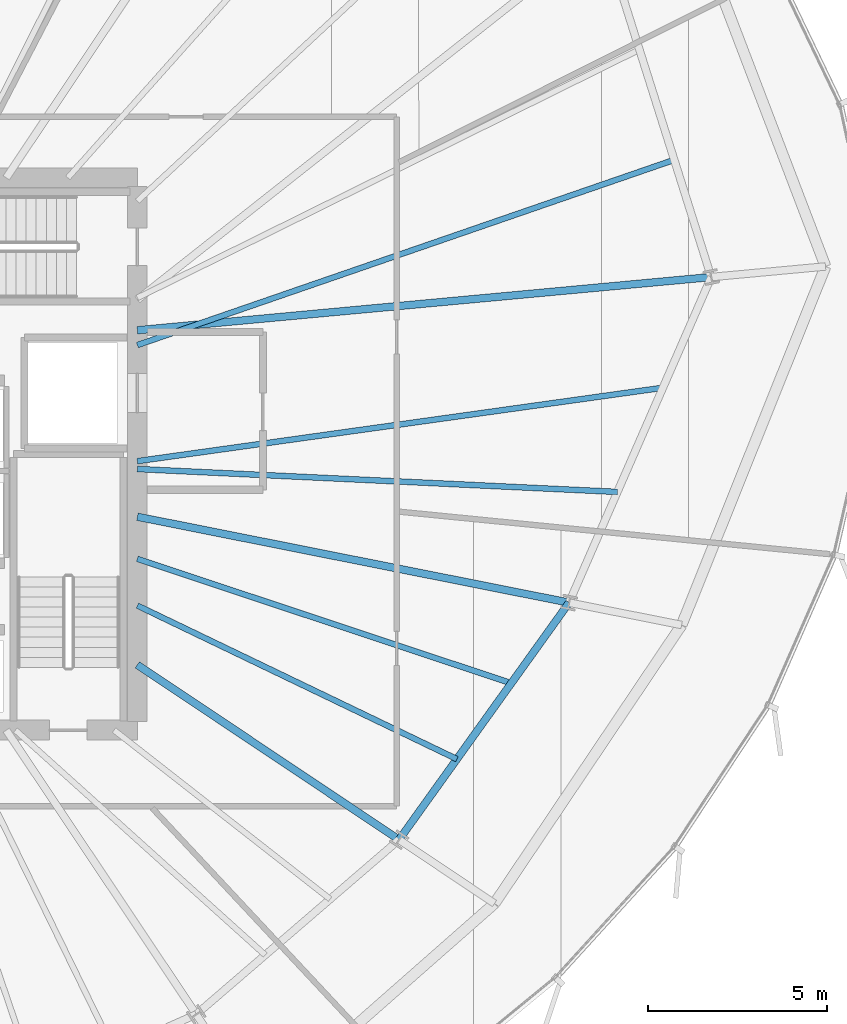
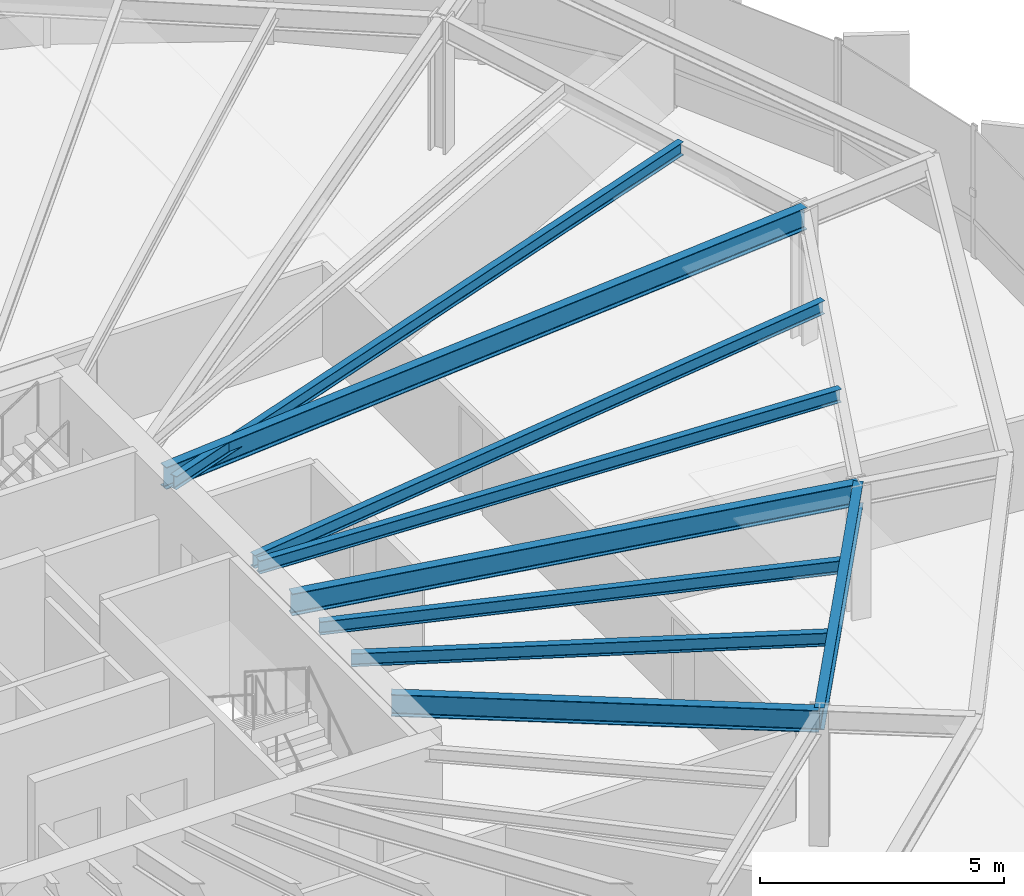
# One storey, part 15 of 33: 9 beams.
"""IFC4 building model written with IfcOpenShell, lengths in metres."""

import ifcopenshell
import ifcopenshell.guid

model = None  # the IFC model being written
_history = None  # IfcOwnerHistory: only IFC2X3 demands one
_inside = {}  # id of a spatial element -> (the spatial element, [elements in it])
_under = {}  # id of a project, library or spatial element -> (it, [spatial elements below it])
_declared = {}  # id of a project -> (the project, [libraries it declares])
_typed = {}  # id of a type object -> (the type object, [elements of that type])
_made_of = {}  # id of a material, layer set ... -> (it, [elements and type objects made of it])


def new_model(schema):
    """Start an empty IFC model of exactly this schema.

    Asked for "IFC4X3", IfcOpenShell would pick the latest addendum, in which some entities
    have other attributes; the version numbers below select the first issue.
    IFC2X3 requires an IfcOwnerHistory on every rooted entity: one is made here for all.
    """
    global model, _history
    if schema == "IFC4X3":
        model = ifcopenshell.file(schema_version=(4, 3, 0, 0))
    else:
        model = ifcopenshell.file(schema=schema)
    _inside.clear()
    _under.clear()
    _declared.clear()
    _typed.clear()
    _made_of.clear()
    _history = None
    if model.schema == "IFC2X3":
        org = make("IfcOrganization", Name="unknown")
        user = make(
            "IfcPersonAndOrganization",
            ThePerson=make("IfcPerson", FamilyName="unknown"),
            TheOrganization=org,
        )
        app = make(
            "IfcApplication",
            ApplicationDeveloper=org,
            Version="unknown",
            ApplicationFullName="unknown",
            ApplicationIdentifier="unknown",
        )
        _history = make(
            "IfcOwnerHistory",
            OwningUser=user,
            OwningApplication=app,
            ChangeAction="ADDED",
            CreationDate=0,
        )
    return model


def make(cls, **values):
    """One entity of the class cls with the attributes given. An attribute that is None is left unset."""
    return model.create_entity(
        cls, **{name: value for name, value in values.items() if value is not None}
    )


def rooted(cls, **values):
    """An entity with a GlobalId (a new one), such as an element, a storey or a relation."""
    return make(cls, GlobalId=ifcopenshell.guid.new(), OwnerHistory=_history, **values)


def si_unit(unit_type, name, prefix=None):
    """IfcSIUnit, for example si_unit("LENGTHUNIT", "METRE", prefix="MILLI")."""
    return make("IfcSIUnit", UnitType=unit_type, Prefix=prefix, Name=name)


def assignment(units):
    """IfcUnitAssignment: the units of a project."""
    return None if units is None else make("IfcUnitAssignment", Units=units)


def point(xyz):
    """IfcCartesianPoint."""
    return None if xyz is None else make("IfcCartesianPoint", Coordinates=xyz)


def direction(xyz):
    """IfcDirection."""
    return None if xyz is None else make("IfcDirection", DirectionRatios=xyz)


def frame(location, z_axis=None, x_axis=None):
    """IfcAxis2Placement3D, a coordinate frame: its origin and axes. An axis left out is left unset."""
    return make(
        "IfcAxis2Placement3D",
        Location=point(location),
        Axis=direction(z_axis),
        RefDirection=direction(x_axis),
    )


def frame_2d(location, x_axis=None):
    """IfcAxis2Placement2D, a coordinate frame in the plane: its origin and x axis."""
    return make(
        "IfcAxis2Placement2D", Location=point(location), RefDirection=direction(x_axis)
    )


def origin():
    """The frame at (0, 0, 0) with its axes left unset."""
    return frame((0.0, 0.0, 0.0))


def origin_2d():
    """The frame at (0, 0) in the plane with its x axis left unset."""
    return frame_2d((0.0, 0.0))


def place(relative_to, where):
    """IfcLocalPlacement: puts the frame where relative to a parent placement (None: the world)."""
    return make(
        "IfcLocalPlacement", PlacementRelTo=relative_to, RelativePlacement=where
    )


def context(
    kind, dimensions, precision=None, world=None, true_north=None, identifier=None
):
    """IfcGeometricRepresentationContext, for example the 3D "Model" context."""
    return make(
        "IfcGeometricRepresentationContext",
        ContextIdentifier=identifier,
        ContextType=kind,
        CoordinateSpaceDimension=dimensions,
        Precision=precision,
        WorldCoordinateSystem=world,
        TrueNorth=true_north,
    )


def subcontext(parent, identifier, kind, view, scale=None):
    """IfcGeometricRepresentationSubContext, for example "Body" below "Model"."""
    return make(
        "IfcGeometricRepresentationSubContext",
        ContextIdentifier=identifier,
        ContextType=kind,
        ParentContext=parent,
        TargetScale=scale,
        TargetView=view,
    )


def project(units=None, contexts=None):
    """IfcProject with its units and contexts."""
    return rooted(
        "IfcProject",
        Name="project",
        RepresentationContexts=contexts,
        UnitsInContext=assignment(units),
    )


def spatial(cls, under=None, at=None, **own):
    """A site, building, storey or space (cls), placed at a placement, below another one or the project."""
    s = rooted(cls, ObjectPlacement=at, **own)
    if under is not None:
        _under.setdefault(under.id(), (under, []))[1].append(s)
    return s


def profile(cls, at=None, kind="AREA", **sizes):
    """A parametric profile (cls). Its sizes go by their IFC names, for example OverallWidth=200.0."""
    return make(cls, ProfileType=kind, Position=at, **sizes)


def i_section(**sizes):
    """IfcIShapeProfileDef."""
    return profile("IfcIShapeProfileDef", **sizes)


def extrude(swept, where, along, depth):
    """IfcExtrudedAreaSolid: the profile swept, set in the frame where, extruded along a direction by depth."""
    return make(
        "IfcExtrudedAreaSolid",
        SweptArea=swept,
        Position=where,
        ExtrudedDirection=direction(along),
        Depth=depth,
    )


def shape(context_of_items, identifier, shape_type, items):
    """IfcShapeRepresentation: the items that make up one representation, for example the "Body"."""
    return make(
        "IfcShapeRepresentation",
        ContextOfItems=context_of_items,
        RepresentationIdentifier=identifier,
        RepresentationType=shape_type,
        Items=items,
    )


def source(mapping_origin, context_of_items, identifier, shape_type, items):
    """IfcRepresentationMap: a shape defined once, which mapped items show again and again."""
    return make(
        "IfcRepresentationMap",
        MappingOrigin=mapping_origin,
        MappedRepresentation=shape(context_of_items, identifier, shape_type, items),
    )


def transform(
    local_origin,
    x_axis=None,
    y_axis=None,
    z_axis=None,
    scale=None,
    scale2=None,
    scale3=None,
    uniform=True,
):
    """IfcCartesianTransformationOperator3D, or its non-uniform kind. x_axis, y_axis, z_axis: its Axis1, 2, 3."""
    if uniform:
        return make(
            "IfcCartesianTransformationOperator3D",
            Axis1=direction(x_axis),
            Axis2=direction(y_axis),
            LocalOrigin=point(local_origin),
            Scale=scale,
            Axis3=direction(z_axis),
        )
    return make(
        "IfcCartesianTransformationOperator3DnonUniform",
        Axis1=direction(x_axis),
        Axis2=direction(y_axis),
        LocalOrigin=point(local_origin),
        Scale=scale,
        Axis3=direction(z_axis),
        Scale2=scale2,
        Scale3=scale3,
    )


def mapped(mapping_source, mapping_target):
    """IfcMappedItem: shows the shape of a source again, moved by a transform."""
    return make(
        "IfcMappedItem", MappingSource=mapping_source, MappingTarget=mapping_target
    )


def material(Name=None, Category=None):
    """IfcMaterial."""
    return make("IfcMaterial", Name=Name, Category=Category)


def material_profile(
    of_material, cross_section, Name=None, Category=None, Priority=None
):
    """IfcMaterialProfile: a cross section and its material."""
    return make(
        "IfcMaterialProfile",
        Name=Name,
        Material=of_material,
        Profile=cross_section,
        Priority=Priority,
        Category=Category,
    )


def profile_set(profiles, Name=None, composite=None):
    """IfcMaterialProfileSet."""
    return make(
        "IfcMaterialProfileSet",
        Name=Name,
        MaterialProfiles=profiles,
        CompositeProfile=composite,
    )


def made_of(thing, what):
    """Note that an element or type object is made of a material, layer set ...; save() writes the relation."""
    if what is not None:
        _made_of.setdefault(what.id(), (what, []))[1].append(thing)
    return thing


def type_object(cls, material=None, **own):
    """A type object (cls), such as IfcWallType, which elements share."""
    return made_of(rooted(cls, **own), material)


def element(
    cls,
    number,
    at=None,
    inside=None,
    cuts=None,
    type_object=None,
    material=None,
    context=None,
    identifier="Body",
    shape_type=None,
    held_by="IfcProductDefinitionShape",
    body=None,
    shapes=None,
    **own,
):
    """One element of the class cls, such as IfcWall. Its Tag is "e" and its number.

    at: its placement. inside: the storey or other place that contains it. cuts: it is an
    opening in that element (IfcRelVoidsElement). A single representation is given by context,
    identifier, shape_type and body (its items); several are given by shapes. held_by: the class
    of the entity that holds the representations. save() writes the other relations.
    """
    e = rooted(cls, Tag="e%d" % number, ObjectPlacement=at, **own)
    if body is not None:
        shapes = [shape(context, identifier, shape_type, body)]
    if shapes is not None:
        e.Representation = make(held_by, Representations=shapes)
    if inside is not None:
        _inside.setdefault(inside.id(), (inside, []))[1].append(e)
    if cuts is not None:
        rooted(
            "IfcRelVoidsElement", RelatingBuildingElement=cuts, RelatedOpeningElement=e
        )
    if type_object is not None:
        _typed.setdefault(type_object.id(), (type_object, []))[1].append(e)
    return made_of(e, material)


def aggregate(whole, parts):
    """IfcRelAggregates: a whole, such as a stair, and the parts it consists of."""
    return rooted("IfcRelAggregates", RelatingObject=whole, RelatedObjects=parts)


def save(model, path):
    """Write the relations noted so far, then the file.

    IfcRelAggregates (storeys below a building ...), IfcRelContainedInSpatialStructure (elements
    in a storey), IfcRelDefinesByType, IfcRelAssociatesMaterial and IfcRelDeclares: one each for
    every whole, place, type object, material and project.
    """
    for whole, parts in _under.values():
        aggregate(whole, parts)
    for where, things in _inside.values():
        rooted(
            "IfcRelContainedInSpatialStructure",
            RelatedElements=things,
            RelatingStructure=where,
        )
    for kind, things in _typed.values():
        rooted("IfcRelDefinesByType", RelatedObjects=things, RelatingType=kind)
    for what, things in _made_of.values():
        rooted("IfcRelAssociatesMaterial", RelatedObjects=things, RelatingMaterial=what)
    for by, libraries in _declared.values():
        rooted("IfcRelDeclares", RelatingContext=by, RelatedDefinitions=libraries)
    model.write(path)


model = new_model("IFC4")

# Units and contexts
model_context = context("Model", 3, precision=1e-05, world=origin(), true_north=direction((0.0, 1.0)))
body_context = subcontext(model_context, "Body", "Model", "MODEL_VIEW")
ifc_project = project(units=[si_unit("LENGTHUNIT", "METRE"), si_unit("AREAUNIT", "SQUARE_METRE"), si_unit("VOLUMEUNIT", "CUBIC_METRE"), si_unit("PLANEANGLEUNIT", "RADIAN"), si_unit("MASSUNIT", "GRAM", prefix="KILO"), si_unit("THERMODYNAMICTEMPERATUREUNIT", "KELVIN")], contexts=[model_context])

# Site, building, storey
site_placement = place(None, origin())
site = spatial("IfcSite", under=ifc_project, at=site_placement, CompositionType="ELEMENT")
building_placement = place(site_placement, origin())
building = spatial("IfcBuilding", under=site, at=building_placement, Name="Kethvar Cultural Tower", CompositionType="ELEMENT")
storey_placement = place(building_placement, frame((0.0, 0.0, 110.800048828125)))
storey = spatial("IfcBuildingStorey", under=building, at=storey_placement, Name="L27", CompositionType="ELEMENT", Elevation=110.800048828125)

# Beams
ifc_material = material(Name="Steel S355J2", Category="steel")
ifc_material_profile_1 = material_profile(ifc_material, i_section(OverallWidth=0.2099609375, OverallDepth=0.550048828125, WebThickness=0.010986328125, FlangeThickness=0.01708984375, FilletRadius=0.02392578125, at=origin_2d()), Name="Steel S355J2 — IPE550")
ifc_profile_set_1 = profile_set([ifc_material_profile_1], Name="Steel S355J2 — IPE550")
beam_type_1 = type_object("IfcBeamType", Name="BM-IPE550", PredefinedType="BEAM", material=ifc_profile_set_1)
shared_shape_1 = source(origin(), body_context, "Body", "SweptSolid", [
    extrude(i_section(OverallWidth=0.2099609375, OverallDepth=0.550048828125, WebThickness=0.010986328125, FlangeThickness=0.01708984375, FilletRadius=0.02392578125, at=origin_2d()), origin(), (0.0, 0.0, 1.0), 16.071044921875),
])
beam_1_placement = place(storey_placement, frame((55.60009765625, 31.25, 3.072998046875), z_axis=(0.995731009363, 0.092302529718, 0.0), x_axis=(-0.092302529718, 0.995731009363, 0.0)))
element("IfcBeam", 1, at=beam_1_placement, inside=storey, type_object=beam_type_1, Name="L27 Primary Radial Beam RB-01", PredefinedType="BEAM", context=body_context, shape_type="MappedRepresentation", body=[
    mapped(shared_shape_1, transform((0.0, 0.0, 0.0), scale=1.0)),
])
shared_shape_2 = source(origin(), body_context, "Body", "SweptSolid", [
    extrude(i_section(OverallWidth=0.2099609375, OverallDepth=0.550048828125, WebThickness=0.010986328125, FlangeThickness=0.01708984375, FilletRadius=0.02392578125, at=origin_2d()), origin(), (0.0, 0.0, 1.0), 8.77783203125),
])
beam_2_placement = place(storey_placement, frame((55.60009765625, 21.919921875, 3.072998046875), z_axis=(0.831472186778, -0.555566380026, 0.0), x_axis=(0.555566380026, 0.831472186778, 0.0)))
element("IfcBeam", 2, at=beam_2_placement, inside=storey, type_object=beam_type_1, Name="L27 Primary Radial Beam RB-15", PredefinedType="BEAM", context=body_context, shape_type="MappedRepresentation", body=[
    mapped(shared_shape_2, transform((0.0, 0.0, 0.0), scale=1.0)),
])
shared_shape_3 = source(origin(), body_context, "Body", "SweptSolid", [
    extrude(i_section(OverallWidth=0.2099609375, OverallDepth=0.550048828125, WebThickness=0.010986328125, FlangeThickness=0.01708984375, FilletRadius=0.02392578125, at=origin_2d()), origin(), (0.0, 0.0, 1.0), 12.2744140625),
])
beam_3_placement = place(storey_placement, frame((55.60009765625, 26.049560546875, 3.072998046875), z_axis=(0.980782878234, -0.195102398146, 0.0), x_axis=(0.195102398146, 0.980782878234, 0.0)))
element("IfcBeam", 3, at=beam_3_placement, inside=storey, type_object=beam_type_1, Name="L27 Primary Radial Beam RB-16", PredefinedType="BEAM", context=body_context, shape_type="MappedRepresentation", body=[
    mapped(shared_shape_3, transform((0.0, 0.0, 0.0), scale=1.0)),
])
ifc_material_profile_2 = material_profile(ifc_material, i_section(OverallWidth=0.159912109375, OverallDepth=0.330078125, WebThickness=0.007568359375, FlangeThickness=0.011474609375, FilletRadius=0.01806640625, at=origin_2d()), Name="Steel S355J2 — IPE330")
ifc_profile_set_2 = profile_set([ifc_material_profile_2], Name="Steel S355J2 — IPE330")
beam_type_2 = type_object("IfcBeamType", Name="BM-J330", PredefinedType="JOIST", material=ifc_profile_set_2)
shared_shape_4 = source(origin(), body_context, "Body", "SweptSolid", [
    extrude(i_section(OverallWidth=0.159912109375, OverallDepth=0.330078125, WebThickness=0.007568359375, FlangeThickness=0.011474609375, FilletRadius=0.01806640625, at=origin_2d()), origin(), (0.0, 0.0, 1.0), 15.836669921875),
])
beam_4_placement = place(storey_placement, frame((55.60009765625, 30.836181640625, 3.182861328125), z_axis=(0.945315135904, 0.326158387644, 0.0), x_axis=(-0.326158387644, 0.945315135904, 0.0)))
element("IfcBeam", 4, at=beam_4_placement, inside=storey, type_object=beam_type_2, Name="L27 Composite Floor Joist J-01A", PredefinedType="JOIST", context=body_context, shape_type="MappedRepresentation", body=[
    mapped(shared_shape_4, transform((0.0, 0.0, 0.0), scale=1.0)),
])
shared_shape_5 = source(origin(), body_context, "Body", "SweptSolid", [
    extrude(i_section(OverallWidth=0.2099609375, OverallDepth=0.550048828125, WebThickness=0.010986328125, FlangeThickness=0.01708984375, FilletRadius=0.02392578125, at=origin_2d()), origin(), (0.0, 0.0, 1.0), 8.13525390625),
])
beam_5_placement = place(storey_placement, frame((62.898681640625, 17.043212890625, 3.072998046875), z_axis=(0.582656731995, 0.812718359988, 0.0), x_axis=(-0.812718359988, 0.582656731995, 0.0)))
element("IfcBeam", 5, at=beam_5_placement, inside=storey, type_object=beam_type_1, Name="L27 Column Ring Tie Beam CR-15", PredefinedType="BEAM", context=body_context, shape_type="MappedRepresentation", body=[
    mapped(shared_shape_5, transform((0.0, 0.0, 0.0), scale=1.0)),
])
shared_shape_6 = source(origin(), body_context, "Body", "SweptSolid", [
    extrude(i_section(OverallWidth=0.159912109375, OverallDepth=0.330078125, WebThickness=0.007568359375, FlangeThickness=0.011474609375, FilletRadius=0.01806640625, at=origin_2d()), origin(), (0.0, 0.0, 1.0), 9.885009765625),
])
beam_6_placement = place(storey_placement, frame((55.60009765625, 23.572021484375, 3.182861328125), z_axis=(0.901369611334, -0.43305060185, 0.0), x_axis=(0.43305060185, 0.901369611334, 0.0)))
element("IfcBeam", 6, at=beam_6_placement, inside=storey, type_object=beam_type_2, Name="L27 Composite Floor Joist J-15A", PredefinedType="JOIST", context=body_context, shape_type="MappedRepresentation", body=[
    mapped(shared_shape_6, transform((0.0, 0.0, 0.0), scale=1.0)),
])
shared_shape_7 = source(origin(), body_context, "Body", "SweptSolid", [
    extrude(i_section(OverallWidth=0.159912109375, OverallDepth=0.330078125, WebThickness=0.007568359375, FlangeThickness=0.011474609375, FilletRadius=0.01806640625, at=origin_2d()), origin(), (0.0, 0.0, 1.0), 10.98828125),
])
beam_7_placement = place(storey_placement, frame((55.60009765625, 24.8740234375, 3.182861328125), z_axis=(0.948918548228, -0.315521138481, 0.0), x_axis=(0.315521138481, 0.948918548228, 0.0)))
element("IfcBeam", 7, at=beam_7_placement, inside=storey, type_object=beam_type_2, Name="L27 Composite Floor Joist J-15B", PredefinedType="JOIST", context=body_context, shape_type="MappedRepresentation", body=[
    mapped(shared_shape_7, transform((0.0, 0.0, 0.0), scale=1.0)),
])
shared_shape_8 = source(origin(), body_context, "Body", "SweptSolid", [
    extrude(i_section(OverallWidth=0.159912109375, OverallDepth=0.330078125, WebThickness=0.007568359375, FlangeThickness=0.011474609375, FilletRadius=0.01806640625, at=origin_2d()), origin(), (0.0, 0.0, 1.0), 13.4013671875),
])
beam_8_placement = place(storey_placement, frame((55.60009765625, 27.380126953125, 3.182861328125), z_axis=(0.998864631653, -0.047638719894, 0.0), x_axis=(0.047638719894, 0.998864631653, 0.0)))
element("IfcBeam", 8, at=beam_8_placement, inside=storey, type_object=beam_type_2, Name="L27 Composite Floor Joist J-16A", PredefinedType="JOIST", context=body_context, shape_type="MappedRepresentation", body=[
    mapped(shared_shape_8, transform((0.0, 0.0, 0.0), scale=1.0)),
])
shared_shape_9 = source(origin(), body_context, "Body", "SweptSolid", [
    extrude(i_section(OverallWidth=0.159912109375, OverallDepth=0.330078125, WebThickness=0.007568359375, FlangeThickness=0.011474609375, FilletRadius=0.01806640625, at=origin_2d()), origin(), (0.0, 0.0, 1.0), 14.797119140625),
])
beam_9_placement = place(storey_placement, frame((55.60009765625, 27.60009765625, 3.182861328125), z_axis=(0.990388450305, 0.138313836986, 0.0), x_axis=(-0.138313836986, 0.990388450305, 0.0)))
element("IfcBeam", 9, at=beam_9_placement, inside=storey, type_object=beam_type_2, Name="L27 Composite Floor Joist J-16B", PredefinedType="JOIST", context=body_context, shape_type="MappedRepresentation", body=[
    mapped(shared_shape_9, transform((0.0, 0.0, 0.0), scale=1.0)),
])

save(model, "model.ifc")
